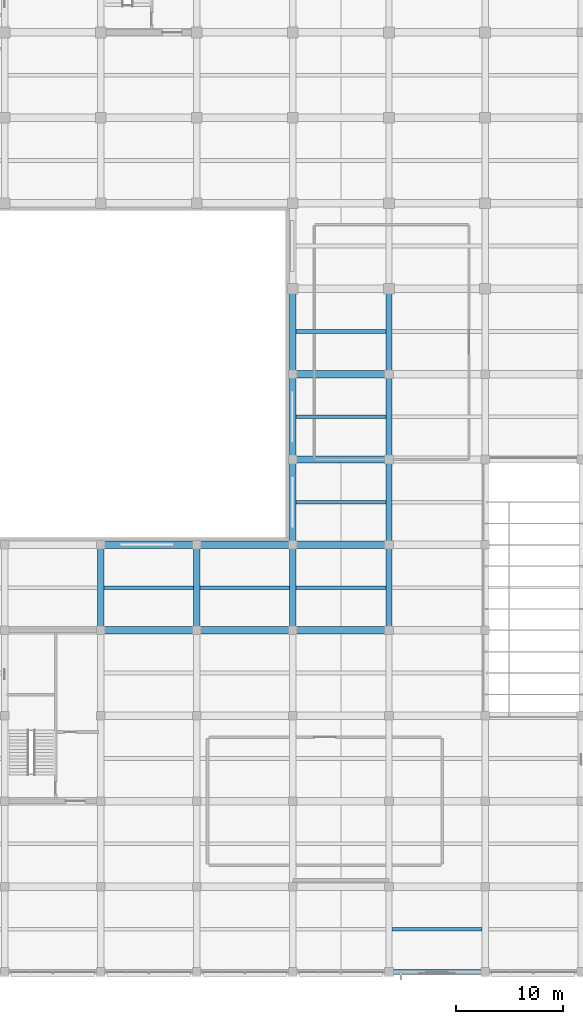
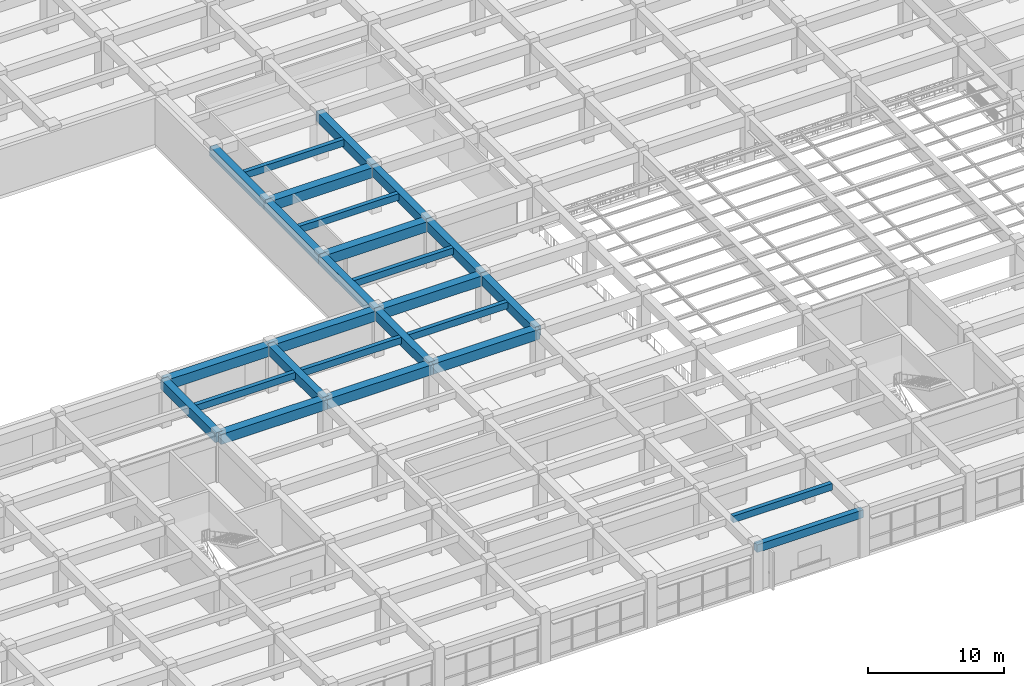
# One storey, part 8 of 50: 26 beams.
"""IFC4 building model written with IfcOpenShell, lengths in metres."""

from ifc_helpers import new_model, si_unit, direction, frame, origin, origin_2d, place, context, subcontext, project, spatial, rectangle, extrude, material, material_profile, profile_set, type_object, element, save


model = new_model("IFC4")

# Units and contexts
model_context = context("Model", 3, precision=1e-05, world=origin(), true_north=direction((0.0, 1.0)))
body_context = subcontext(model_context, "Body", "Model", "MODEL_VIEW")
ifc_project = project(units=[si_unit("LENGTHUNIT", "METRE"), si_unit("AREAUNIT", "SQUARE_METRE"), si_unit("VOLUMEUNIT", "CUBIC_METRE"), si_unit("PLANEANGLEUNIT", "RADIAN"), si_unit("MASSUNIT", "GRAM", prefix="KILO")], contexts=[model_context])

# Site, building, storey
site_placement = place(None, origin())
site = spatial("IfcSite", under=ifc_project, at=site_placement, CompositionType="ELEMENT")
building_placement = place(site_placement, origin())
building = spatial("IfcBuilding", under=site, at=building_placement, Name="Zaverband Oceanarium and Marine Research Institute", CompositionType="ELEMENT")
storey_placement = place(building_placement, frame((0.0, 0.0, 9.0)))
storey = spatial("IfcBuildingStorey", under=building, at=storey_placement, Name="L02", CompositionType="ELEMENT", Elevation=9.0)

# Beams
ifc_material = material(Name="Concrete C40/50", Category="concrete")
ifc_material_profile_1 = material_profile(ifc_material, rectangle(XDim=0.60009765625, YDim=0.85009765625, at=origin_2d()), Name="RC600x850")
ifc_profile_set_1 = profile_set([ifc_material_profile_1], Name="Concrete C40/50")
beam_type_1 = type_object("IfcBeamType", Name="BM-600x850", PredefinedType="BEAM", material=ifc_profile_set_1)
for number, where, z_axis, x_axis, name in (
    (1, (36.0, 32.0, 3.715087890625), (0.0, 1.0, 0.0), (-1.0, 0.0, 0.0), "Primary floor girder BM-600x850"),
    (2, (45.0, 32.0, 3.715087890625), (0.0, 1.0, 0.0), (-1.0, 0.0, 0.0), "Primary floor girder BM-600x850"),
    (3, (54.0, 32.0, 3.715087890625), (0.0, 1.0, 0.0), (-1.0, 0.0, 0.0), "Primary floor girder BM-600x850"),
    (4, (54.0, 40.0, 3.715087890625), (0.0, 1.0, 0.0), (-1.0, 0.0, 0.0), "Primary floor girder BM-600x850"),
    (5, (54.0, 48.0, 3.715087890625), (0.0, 1.0, 0.0), (-1.0, 0.0, 0.0), "Primary floor girder BM-600x850"),
    (6, (54.0, 56.0, 3.715087890625), (0.0, 1.0, 0.0), (-1.0, 0.0, 0.0), "Primary floor girder BM-600x850"),
    (7, (63.0, 32.0, 3.715087890625), (0.0, 1.0, 0.0), (-1.0, 0.0, 0.0), "Primary floor girder BM-600x850"),
    (8, (63.0, 40.0, 3.715087890625), (0.0, 1.0, 0.0), (-1.0, 0.0, 0.0), "Primary floor girder BM-600x850"),
    (9, (63.0, 48.0, 3.715087890625), (0.0, 1.0, 0.0), (-1.0, 0.0, 0.0), "Primary floor girder BM-600x850"),
    (10, (63.0, 56.0, 3.715087890625), (0.0, 1.0, 0.0), (-1.0, 0.0, 0.0), "Primary floor girder BM-600x850"),
):
    element("IfcBeam", number, at=place(storey_placement, frame(where, z_axis=z_axis, x_axis=x_axis)), inside=storey, type_object=beam_type_1, Name=name, PredefinedType="BEAM", context=body_context, shape_type="SweptSolid", body=[
        extrude(rectangle(XDim=0.60009765625, YDim=0.85009765625, at=origin_2d()), origin(), (0.0, 0.0, 1.0), 8.0),
    ])
ifc_material_profile_2 = material_profile(ifc_material, rectangle(XDim=0.699951171875, YDim=0.89990234375, at=origin_2d()), Name="RC700x900")
ifc_profile_set_2 = profile_set([ifc_material_profile_2], Name="Concrete C40/50")
beam_type_2 = type_object("IfcBeamType", Name="BM-700x900", PredefinedType="BEAM", material=ifc_profile_set_2)
for number, where, z_axis, x_axis, name in (
    (11, (36.0, 32.0, 3.68994140625), (1.0, 0.0, 0.0), (0.0, 1.0, 0.0), "Primary floor girder BM-700x900"),
    (12, (45.0, 32.0, 3.68994140625), (1.0, 0.0, 0.0), (0.0, 1.0, 0.0), "Primary floor girder BM-700x900"),
    (13, (54.0, 32.0, 3.68994140625), (1.0, 0.0, 0.0), (0.0, 1.0, 0.0), "Primary floor girder BM-700x900"),
    (14, (36.0, 40.0, 3.68994140625), (1.0, 0.0, 0.0), (0.0, 1.0, 0.0), "Primary floor girder BM-700x900"),
    (15, (45.0, 40.0, 3.68994140625), (1.0, 0.0, 0.0), (0.0, 1.0, 0.0), "Primary floor girder BM-700x900"),
    (16, (54.0, 40.0, 3.68994140625), (1.0, 0.0, 0.0), (0.0, 1.0, 0.0), "Primary floor girder BM-700x900"),
    (17, (54.0, 48.0, 3.68994140625), (1.0, 0.0, 0.0), (0.0, 1.0, 0.0), "Primary floor girder BM-700x900"),
    (18, (54.0, 56.0, 3.68994140625), (1.0, 0.0, 0.0), (0.0, 1.0, 0.0), "Primary floor girder BM-700x900"),
):
    element("IfcBeam", number, at=place(storey_placement, frame(where, z_axis=z_axis, x_axis=x_axis)), inside=storey, type_object=beam_type_2, Name=name, PredefinedType="BEAM", context=body_context, shape_type="SweptSolid", body=[
        extrude(rectangle(XDim=0.699951171875, YDim=0.89990234375, at=origin_2d()), origin(), (0.0, 0.0, 1.0), 9.0),
    ])
ifc_material_profile_3 = material_profile(ifc_material, rectangle(XDim=0.35009765625, YDim=0.60009765625, at=origin_2d()), Name="RC350x600")
ifc_profile_set_3 = profile_set([ifc_material_profile_3], Name="Concrete C40/50")
beam_type_3 = type_object("IfcBeamType", Name="JST-350x600", PredefinedType="JOIST", material=ifc_profile_set_3)
for number, where, z_axis, x_axis, name in (
    (19, (36.300048828125, 36.0, 3.840087890625), (1.0, 0.0, 0.0), (0.0, 1.0, 0.0), "Secondary floor joist JST-350x600"),
    (20, (45.300048828125, 36.0, 3.840087890625), (1.0, 0.0, 0.0), (0.0, 1.0, 0.0), "Secondary floor joist JST-350x600"),
    (21, (54.300048828125, 36.0, 3.840087890625), (1.0, 0.0, 0.0), (0.0, 1.0, 0.0), "Secondary floor joist JST-350x600"),
    (22, (54.300048828125, 44.0, 3.840087890625), (1.0, 0.0, 0.0), (0.0, 1.0, 0.0), "Secondary floor joist JST-350x600"),
    (23, (54.300048828125, 52.0, 3.840087890625), (1.0, 0.0, 0.0), (0.0, 1.0, 0.0), "Secondary floor joist JST-350x600"),
    (24, (54.300048828125, 60.0, 3.840087890625), (1.0, 0.0, 0.0), (0.0, 1.0, 0.0), "Secondary floor joist JST-350x600"),
    (25, (63.300048828125, 4.0, 3.840087890625), (1.0, 0.0, 0.0), (0.0, 1.0, 0.0), "Secondary floor joist JST-350x600"),
):
    element("IfcBeam", number, at=place(storey_placement, frame(where, z_axis=z_axis, x_axis=x_axis)), inside=storey, type_object=beam_type_3, Name=name, PredefinedType="JOIST", context=body_context, shape_type="SweptSolid", body=[
        extrude(rectangle(XDim=0.35009765625, YDim=0.60009765625, at=origin_2d()), origin(), (0.0, 0.0, 1.0), 8.39990234375),
    ])
ifc_material_profile_4 = material_profile(ifc_material, rectangle(XDim=0.449951171875, YDim=0.699951171875, at=origin_2d()), Name="RC450x700")
ifc_profile_set_4 = profile_set([ifc_material_profile_4], Name="Concrete C40/50")
beam_type_4 = type_object("IfcBeamType", Name="SPN-450x700", PredefinedType="SPANDREL", material=ifc_profile_set_4)
beam_placement = place(storey_placement, frame((63.0, 0.0, 3.7900390625), z_axis=(1.0, 0.0, 0.0), x_axis=(0.0, 1.0, 0.0)))
element("IfcBeam", 26, at=beam_placement, inside=storey, type_object=beam_type_4, Name="Perimeter spandrel beam SPN-450x700", PredefinedType="SPANDREL", context=body_context, shape_type="SweptSolid", body=[
    extrude(rectangle(XDim=0.449951171875, YDim=0.699951171875, at=origin_2d()), origin(), (0.0, 0.0, 1.0), 9.0),
])

save(model, "model.ifc")
